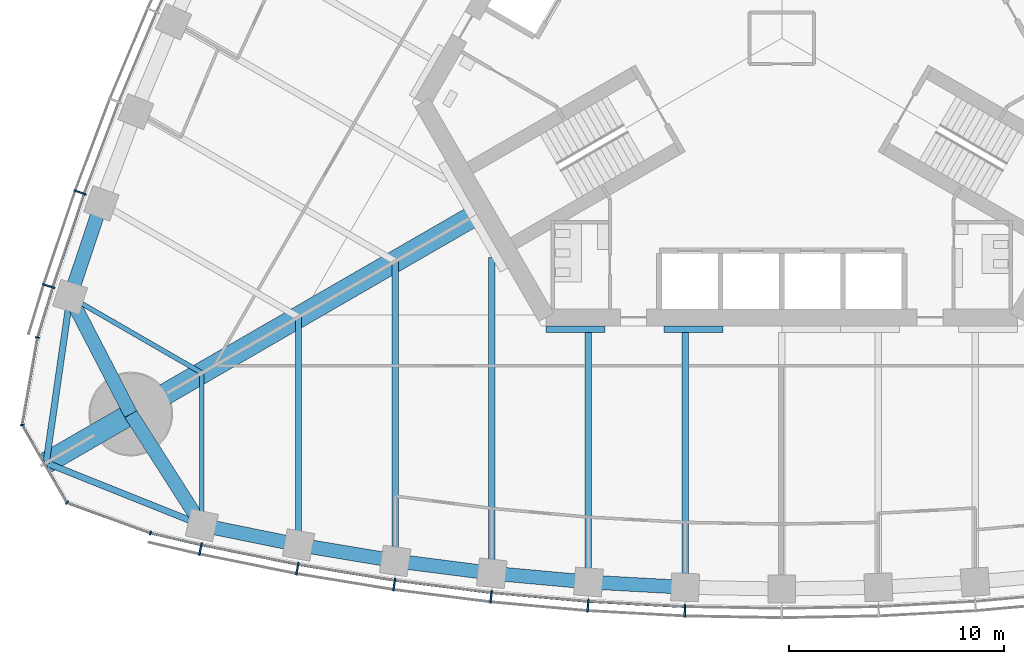
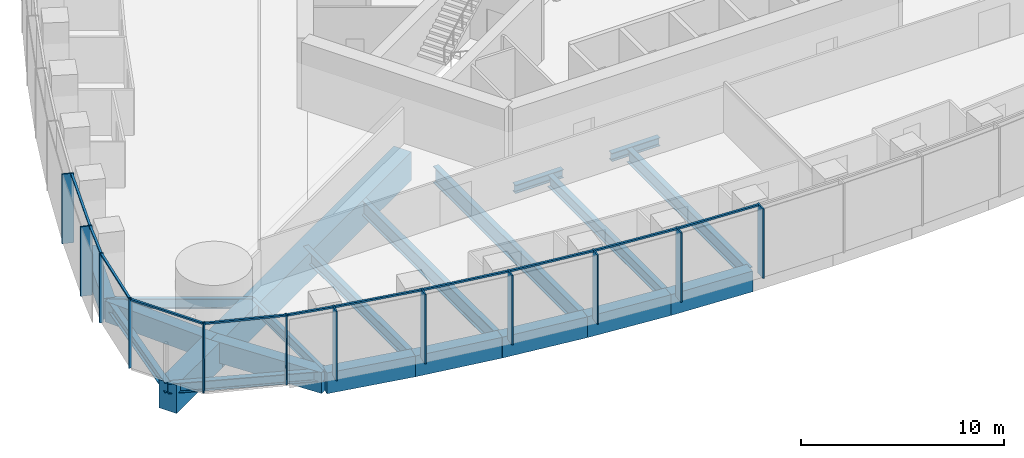
# One storey, part 2 of 19: 23 members, 21 beams, 3 elements without a shape of their own.
"""IFC4 building model written with IfcOpenShell, lengths in metres."""

from ifc_helpers import new_model, si_unit, direction, frame, origin, origin_2d, place, context, subcontext, project, spatial, rectangle, i_section, extrude, material, material_profile, profile_set, type_object, element, aggregate, save


model = new_model("IFC4")

# Units and contexts
model_context = context("Model", 3, precision=1e-05, world=origin(), true_north=direction((0.0, 1.0)))
body_context = subcontext(model_context, "Body", "Model", "MODEL_VIEW")
ifc_project = project(units=[si_unit("LENGTHUNIT", "METRE"), si_unit("AREAUNIT", "SQUARE_METRE"), si_unit("VOLUMEUNIT", "CUBIC_METRE"), si_unit("PLANEANGLEUNIT", "RADIAN"), si_unit("MASSUNIT", "GRAM", prefix="KILO")], contexts=[model_context])

# Site, building, storey
site_placement = place(None, origin())
site = spatial("IfcSite", under=ifc_project, at=site_placement, CompositionType="ELEMENT")
building_placement = place(site_placement, origin())
building = spatial("IfcBuilding", under=site, at=building_placement, Name="Trefoil Bronze Tower", CompositionType="ELEMENT")
storey_placement = place(building_placement, frame((0.0, 0.0, 128.300048828125)))
storey = spatial("IfcBuildingStorey", under=building, at=storey_placement, Name="L29", CompositionType="ELEMENT", Elevation=128.300048828125)

# Curtain wall, members
ifc_material_1 = material(Name="Tinted solar-control glass", Category="glass")
curtain_wall_type_1 = type_object("IfcCurtainWallType", Name="Bronze office curtain wall", PredefinedType="USERDEFINED", material=ifc_material_1)
curtain_wall_1_placement = place(storey_placement, origin())
curtain_wall_1 = element("IfcCurtainWall", 1, at=curtain_wall_1_placement, inside=storey, type_object=curtain_wall_type_1, Name="CW-A L29 F1", ObjectType="CURTAIN WALL", PredefinedType="USERDEFINED")
ifc_material_2 = material(Name="Bronze-finish aluminium", Category="aluminium")
ifc_material_profile_1 = material_profile(ifc_material_2, rectangle(XDim=0.60009765625, YDim=0.080078125, at=origin_2d()), Name="CW-A mullion")
ifc_profile_set_1 = profile_set([ifc_material_profile_1], Name="Bronze-finish aluminium")
member_type_1 = type_object("IfcMemberType", Name="Bronze office curtain wall mullion", PredefinedType="MULLION", material=ifc_profile_set_1)
member_1_placement = place(storey_placement, frame((-27.0634765625, -23.7890625, 0.0), z_axis=(0.0, 0.0, 1.0), x_axis=(0.21197042503, 0.977276081214, 0.0)))
member_1 = element("IfcMember", 2, at=member_1_placement, type_object=member_type_1, Name="CW-A L29 F1 mullion 2", PredefinedType="MULLION", context=body_context, shape_type="SweptSolid", body=[
    extrude(rectangle(XDim=0.60009765625, YDim=0.080078125, at=origin_2d()), origin(), (0.0, 0.0, 1.0), 4.179931640625),
])
member_2_placement = place(storey_placement, frame((-22.553955078125, -24.700927734375, 0.0), z_axis=(0.0, 0.0, 1.0), x_axis=(0.180240853954, 0.98362250613, 0.0)))
member_2 = element("IfcMember", 3, at=member_2_placement, type_object=member_type_1, Name="CW-A L29 F1 mullion 3", PredefinedType="MULLION", context=body_context, shape_type="SweptSolid", body=[
    extrude(rectangle(XDim=0.60009765625, YDim=0.080078125, at=origin_2d()), origin(), (0.0, 0.0, 1.0), 4.179931640625),
])
member_3_placement = place(storey_placement, frame((-18.043212890625, -25.4423828125, 0.0), z_axis=(0.0, 0.0, 1.0), x_axis=(0.144192103798, 0.989549714366, 0.0)))
member_3 = element("IfcMember", 4, at=member_3_placement, type_object=member_type_1, Name="CW-A L29 F1 mullion 4", PredefinedType="MULLION", context=body_context, shape_type="SweptSolid", body=[
    extrude(rectangle(XDim=0.60009765625, YDim=0.080078125, at=origin_2d()), origin(), (0.0, 0.0, 1.0), 4.179931640625),
])
member_4_placement = place(storey_placement, frame((-13.532470703125, -26.01611328125, 0.0), z_axis=(0.0, 0.0, 1.0), x_axis=(0.108143747013, 0.994135267447, 0.0)))
member_4 = element("IfcMember", 5, at=member_4_placement, type_object=member_type_1, Name="CW-A L29 F1 mullion 5", PredefinedType="MULLION", context=body_context, shape_type="SweptSolid", body=[
    extrude(rectangle(XDim=0.60009765625, YDim=0.080078125, at=origin_2d()), origin(), (0.0, 0.0, 1.0), 4.179931640625),
])
member_5_placement = place(storey_placement, frame((-9.021728515625, -26.424072265625, 0.0), z_axis=(0.0, 0.0, 1.0), x_axis=(0.072095676284, 0.997397720802, 0.0)))
member_5 = element("IfcMember", 6, at=member_5_placement, type_object=member_type_1, Name="CW-A L29 F1 mullion 6", PredefinedType="MULLION", context=body_context, shape_type="SweptSolid", body=[
    extrude(rectangle(XDim=0.60009765625, YDim=0.080078125, at=origin_2d()), origin(), (0.0, 0.0, 1.0), 4.179931640625),
])
member_6_placement = place(storey_placement, frame((-4.5107421875, -26.66845703125, 0.0), z_axis=(0.0, 0.0, 1.0), x_axis=(0.036047792107, 0.999350067136, 0.0)))
member_6 = element("IfcMember", 7, at=member_6_placement, type_object=member_type_1, Name="CW-A L29 F1 mullion 7", PredefinedType="MULLION", context=body_context, shape_type="SweptSolid", body=[
    extrude(rectangle(XDim=0.60009765625, YDim=0.080078125, at=origin_2d()), origin(), (0.0, 0.0, 1.0), 4.179931640625),
])

curtain_wall_2_placement = place(storey_placement, origin())
curtain_wall_2 = element("IfcCurtainWall", 8, at=curtain_wall_2_placement, inside=storey, type_object=curtain_wall_type_1, Name="CW-A L29 F3", ObjectType="CURTAIN WALL", PredefinedType="USERDEFINED")
member_7_placement = place(storey_placement, frame((-32.668701171875, -7.181884765625, 0.0), z_axis=(0.0, 0.0, 1.0), x_axis=(0.94196250502, -0.335718094742, 0.0)))
member_7 = element("IfcMember", 9, at=member_7_placement, type_object=member_type_1, Name="CW-A L29 F3 mullion 13", PredefinedType="MULLION", context=body_context, shape_type="SweptSolid", body=[
    extrude(rectangle(XDim=0.60009765625, YDim=0.080078125, at=origin_2d()), origin(), (0.0, 0.0, 1.0), 4.179931640625),
])
member_8_placement = place(storey_placement, frame((-34.1337890625, -11.543212890625, 0.0), z_axis=(0.0, 0.0, 1.0), x_axis=(0.952331125357, -0.30506626768, 0.0)))
member_8 = element("IfcMember", 10, at=member_8_placement, type_object=member_type_1, Name="CW-A L29 F3 mullion 14", PredefinedType="MULLION", context=body_context, shape_type="SweptSolid", body=[
    extrude(rectangle(XDim=0.60009765625, YDim=0.080078125, at=origin_2d()), origin(), (0.0, 0.0, 1.0), 4.179931640625),
])

# Member
ifc_material_3 = material(Name="Bronze-finish aluminium", Category="aluminium")
ifc_material_profile_2 = material_profile(ifc_material_3, rectangle(XDim=0.1201171875, YDim=0.10009765625, at=origin_2d()), Name="CW-A transom")
ifc_profile_set_2 = profile_set([ifc_material_profile_2], Name="Bronze-finish aluminium")
member_type_2 = type_object("IfcMemberType", Name="Bronze office curtain wall transom", PredefinedType="USERDEFINED", material=ifc_profile_set_2)
member_9_placement = place(storey_placement, frame((-29.34130859375, -23.05615234375, 4.1298828125), z_axis=(0.974206243495, -0.225659467196, 0.0), x_axis=(0.225659467196, 0.974206243495, 0.0)))
member_9 = element("IfcMember", 11, at=member_9_placement, type_object=member_type_2, Name="CW-A L29 F1 transom 1", ObjectType="TRANSOM", PredefinedType="USERDEFINED", context=body_context, shape_type="SweptSolid", body=[
    extrude(rectangle(XDim=0.1201171875, YDim=0.10009765625, at=origin_2d()), origin(), (0.0, 0.0, 1.0), 2.340087890625),
])

member_10_placement = place(storey_placement, frame((-26.980712890625, -23.601806640625, 4.1298828125), z_axis=(0.980153749225, -0.198238815273, 0.0), x_axis=(0.198238815273, 0.980153749225, 0.0)))
member_10 = element("IfcMember", 12, at=member_10_placement, type_object=member_type_2, Name="CW-A L29 F1 transom 2", ObjectType="TRANSOM", PredefinedType="USERDEFINED", context=body_context, shape_type="SweptSolid", body=[
    extrude(rectangle(XDim=0.1201171875, YDim=0.10009765625, at=origin_2d()), origin(), (0.0, 0.0, 1.0), 4.51123046875),
])

member_11_placement = place(storey_placement, frame((-22.476806640625, -24.510986328125, 4.1298828125), z_axis=(0.986755265284, -0.162216048636, 0.0), x_axis=(0.162216048636, 0.986755265284, 0.0)))
member_11 = element("IfcMember", 13, at=member_11_placement, type_object=member_type_2, Name="CW-A L29 F1 transom 3", ObjectType="TRANSOM", PredefinedType="USERDEFINED", context=body_context, shape_type="SweptSolid", body=[
    extrude(rectangle(XDim=0.1201171875, YDim=0.10009765625, at=origin_2d()), origin(), (0.0, 0.0, 1.0), 4.48046875),
])

member_12_placement = place(storey_placement, frame((-17.972900390625, -25.249755859375, 4.1298828125), z_axis=(0.992008387848, -0.12617193998, 0.0), x_axis=(0.12617193998, 0.992008387848, 0.0)))
member_12 = element("IfcMember", 14, at=member_12_placement, type_object=member_type_2, Name="CW-A L29 F1 transom 4", ObjectType="TRANSOM", PredefinedType="USERDEFINED", context=body_context, shape_type="SweptSolid", body=[
    extrude(rectangle(XDim=0.1201171875, YDim=0.10009765625, at=origin_2d()), origin(), (0.0, 0.0, 1.0), 4.456298828125),
])

member_13_placement = place(storey_placement, frame((-13.46923828125, -25.821044921875, 4.1298828125), z_axis=(0.995932787062, -0.090099298863, 0.0), x_axis=(0.090099298863, 0.995932787062, 0.0)))
member_13 = element("IfcMember", 15, at=member_13_placement, type_object=member_type_2, Name="CW-A L29 F1 transom 5", ObjectType="TRANSOM", PredefinedType="USERDEFINED", context=body_context, shape_type="SweptSolid", body=[
    extrude(rectangle(XDim=0.1201171875, YDim=0.10009765625, at=origin_2d()), origin(), (0.0, 0.0, 1.0), 4.4384765625),
])

member_14_placement = place(storey_placement, frame((-8.965576171875, -26.22705078125, 4.1298828125), z_axis=(0.998538253569, -0.054049571306, 0.0), x_axis=(0.054049571306, 0.998538253569, 0.0)))
member_14 = element("IfcMember", 16, at=member_14_placement, type_object=member_type_2, Name="CW-A L29 F1 transom 6", ObjectType="TRANSOM", PredefinedType="USERDEFINED", context=body_context, shape_type="SweptSolid", body=[
    extrude(rectangle(XDim=0.1201171875, YDim=0.10009765625, at=origin_2d()), origin(), (0.0, 0.0, 1.0), 4.4267578125),
])

aggregate(curtain_wall_1, [member_1, member_2, member_3, member_4, member_5, member_6, member_9, member_10, member_11, member_12, member_13, member_14])

member_15_placement = place(storey_placement, frame((-32.49365234375, -7.28857421875, 4.1298828125), z_axis=(-0.318386323729, -0.947961048178, 0.0), x_axis=(0.947961048178, -0.318386323729, 0.0)))
member_15 = element("IfcMember", 17, at=member_15_placement, type_object=member_type_2, Name="CW-A L29 F3 transom 13", ObjectType="TRANSOM", PredefinedType="USERDEFINED", context=body_context, shape_type="SweptSolid", body=[
    extrude(rectangle(XDim=0.1201171875, YDim=0.10009765625, at=origin_2d()), origin(), (0.0, 0.0, 1.0), 4.51123046875),
])

member_16_placement = place(storey_placement, frame((-33.955322265625, -11.643798828125, 4.1298828125), z_axis=(-0.291680468798, -0.956515814883, 0.0), x_axis=(0.956515814883, -0.291680468798, 0.0)))
member_16 = element("IfcMember", 18, at=member_16_placement, type_object=member_type_2, Name="CW-A L29 F3 transom 14", ObjectType="TRANSOM", PredefinedType="USERDEFINED", context=body_context, shape_type="SweptSolid", body=[
    extrude(rectangle(XDim=0.1201171875, YDim=0.10009765625, at=origin_2d()), origin(), (0.0, 0.0, 1.0), 2.34033203125),
])

aggregate(curtain_wall_2, [member_7, member_8, member_15, member_16])

# Curtain wall, members
ifc_material_4 = material(Name="Tinted solar-control glass", Category="glass")
curtain_wall_type_2 = type_object("IfcCurtainWallType", Name="Bronze rounded corner curtain wall", PredefinedType="USERDEFINED", material=ifc_material_4)
curtain_wall_3_placement = place(storey_placement, origin())
curtain_wall_3 = element("IfcCurtainWall", 19, at=curtain_wall_3_placement, inside=storey, type_object=curtain_wall_type_2, Name="CW-B L29 K3", ObjectType="CURTAIN WALL", PredefinedType="USERDEFINED")
ifc_material_5 = material(Name="Bronze-finish aluminium", Category="aluminium")
ifc_material_profile_3 = material_profile(ifc_material_5, rectangle(XDim=0.199951171875, YDim=0.06005859375, at=origin_2d()), Name="CW-B mullion")
ifc_profile_set_3 = profile_set([ifc_material_profile_3], Name="Bronze-finish aluminium")
member_type_3 = type_object("IfcMemberType", Name="Bronze rounded corner curtain wall mullion", PredefinedType="MULLION", material=ifc_profile_set_3)
member_17_placement = place(storey_placement, frame((-34.65234375, -13.932373046875, 0.0), z_axis=(0.0, 0.0, 1.0), x_axis=(0.984807753012, -0.173648177667, 0.0)))
member_17 = element("IfcMember", 20, at=member_17_placement, type_object=member_type_3, Name="CW-B L29 K3 mullion 1", PredefinedType="MULLION", context=body_context, shape_type="SweptSolid", body=[
    extrude(rectangle(XDim=0.199951171875, YDim=0.06005859375, at=origin_2d()), origin(), (0.0, 0.0, 1.0), 4.179931640625),
])
member_18_placement = place(storey_placement, frame((-35.364990234375, -18.009033203125, 0.0), z_axis=(0.0, 0.0, 1.0), x_axis=(0.984807753012, 0.173648177667, 0.0)))
member_18 = element("IfcMember", 21, at=member_18_placement, type_object=member_type_3, Name="CW-B L29 K3 mullion 2", PredefinedType="MULLION", context=body_context, shape_type="SweptSolid", body=[
    extrude(rectangle(XDim=0.199951171875, YDim=0.06005859375, at=origin_2d()), origin(), (0.0, 0.0, 1.0), 4.179931640625),
])
member_19_placement = place(storey_placement, frame((-33.27880859375, -21.62255859375, 0.0), z_axis=(0.0, 0.0, 1.0), x_axis=(0.642787609687, 0.766044443119, 0.0)))
member_19 = element("IfcMember", 22, at=member_19_placement, type_object=member_type_3, Name="CW-B L29 K3 mullion 3", PredefinedType="MULLION", context=body_context, shape_type="SweptSolid", body=[
    extrude(rectangle(XDim=0.199951171875, YDim=0.06005859375, at=origin_2d()), origin(), (0.0, 0.0, 1.0), 4.179931640625),
])
member_20_placement = place(storey_placement, frame((-29.391845703125, -23.043701171875, 0.0), z_axis=(0.0, 0.0, 1.0), x_axis=(0.342020143326, 0.939692620786, 0.0)))
member_20 = element("IfcMember", 23, at=member_20_placement, type_object=member_type_3, Name="CW-B L29 K3 mullion 4", PredefinedType="MULLION", context=body_context, shape_type="SweptSolid", body=[
    extrude(rectangle(XDim=0.199951171875, YDim=0.06005859375, at=origin_2d()), origin(), (0.0, 0.0, 1.0), 4.179931640625),
])
ifc_material_6 = material(Name="Bronze-finish aluminium", Category="aluminium")
ifc_material_profile_4 = material_profile(ifc_material_6, rectangle(XDim=0.1201171875, YDim=0.10009765625, at=origin_2d()), Name="CW-B transom")
ifc_profile_set_4 = profile_set([ifc_material_profile_4], Name="Bronze-finish aluminium")
member_type_4 = type_object("IfcMemberType", Name="Bronze rounded corner curtain wall transom", PredefinedType="USERDEFINED", material=ifc_profile_set_4)
member_21_placement = place(storey_placement, frame((-34.657470703125, -13.9619140625, 4.1298828125), z_axis=(-0.173682016639, -0.984801785689, 0.0), x_axis=(0.984801785689, -0.173682016639, 0.0)))
member_21 = element("IfcMember", 24, at=member_21_placement, type_object=member_type_4, Name="CW-B L29 K3 transom 1", ObjectType="TRANSOM", PredefinedType="USERDEFINED", context=body_context, shape_type="SweptSolid", body=[
    extrude(rectangle(XDim=0.1201171875, YDim=0.10009765625, at=origin_2d()), origin(), (0.0, 0.0, 1.0), 4.044189453125),
])
member_22_placement = place(storey_placement, frame((-35.338134765625, -18.067626953125, 4.1298828125), z_axis=(0.500015078168, -0.866016698225, 0.0), x_axis=(0.866016698225, 0.500015078168, 0.0)))
member_22 = element("IfcMember", 25, at=member_22_placement, type_object=member_type_4, Name="CW-B L29 K3 transom 2", ObjectType="TRANSOM", PredefinedType="USERDEFINED", context=body_context, shape_type="SweptSolid", body=[
    extrude(rectangle(XDim=0.1201171875, YDim=0.10009765625, at=origin_2d()), origin(), (0.0, 0.0, 1.0), 4.04443359375),
])
member_23_placement = place(storey_placement, frame((-33.220458984375, -21.650146484375, 4.1298828125), z_axis=(0.939684096629, -0.342043562347, 0.0), x_axis=(0.342043562347, 0.939684096629, 0.0)))
member_23 = element("IfcMember", 26, at=member_23_placement, type_object=member_type_4, Name="CW-B L29 K3 transom 3", ObjectType="TRANSOM", PredefinedType="USERDEFINED", context=body_context, shape_type="SweptSolid", body=[
    extrude(rectangle(XDim=0.1201171875, YDim=0.10009765625, at=origin_2d()), origin(), (0.0, 0.0, 1.0), 4.044189453125),
])
aggregate(curtain_wall_3, [member_17, member_18, member_19, member_20, member_21, member_22, member_23])

# Beams
ifc_material_7 = material(Name="Steel C355", Category="steel")
ifc_material_profile_5 = material_profile(ifc_material_7, i_section(OverallWidth=0.300048828125, OverallDepth=0.5, WebThickness=0.014404296875, FlangeThickness=0.028076171875, FilletRadius=0.027099609375, at=origin_2d()), Name="HEB 500")
ifc_profile_set_5 = profile_set([ifc_material_profile_5], Name="Steel C355")
beam_type_1 = type_object("IfcBeamType", Name="Core seat beam HEB 500", PredefinedType="BEAM", material=ifc_profile_set_5)
for number, where, z_axis, x_axis, name in (
    (27, (-10.9697265625, -13.550048828125, -0.449951171875), (1.0, 0.0, 0.0), (0.0, 1.0, 0.0), "Core seat beam F1/-2 L29"),
    (28, (-5.48486328125, -13.550048828125, -0.449951171875), (1.0, 0.0, 0.0), (0.0, 1.0, 0.0), "Core seat beam F1/-1 L29"),
):
    element("IfcBeam", number, at=place(storey_placement, frame(where, z_axis=z_axis, x_axis=x_axis)), inside=storey, type_object=beam_type_1, Name=name, PredefinedType="BEAM", context=body_context, shape_type="SweptSolid", body=[
        extrude(i_section(OverallWidth=0.300048828125, OverallDepth=0.5, WebThickness=0.014404296875, FlangeThickness=0.028076171875, FilletRadius=0.027099609375, at=origin_2d()), origin(), (0.0, 0.0, 1.0), 2.742431640625),
    ])
ifc_material_8 = material(Name="Concrete B80", Category="concrete")
ifc_material_profile_6 = material_profile(ifc_material_8, rectangle(XDim=1.0, YDim=1.699951171875, at=origin_2d()), Name="RC 1000x1700")
ifc_profile_set_6 = profile_set([ifc_material_profile_6], Name="Concrete B80")
beam_type_2 = type_object("IfcBeamType", Name="Corner cantilever RC 1000x1700", PredefinedType="BEAM", material=ifc_profile_set_6)
beam_1_placement = place(storey_placement, frame((-30.310791015625, -17.5, -1.050048828125), z_axis=(-0.866031878637, -0.499988785058, 0.0), x_axis=(0.499988785058, -0.866031878637, 0.0)))
element("IfcBeam", 29, at=beam_1_placement, inside=storey, type_object=beam_type_2, Name="Corner cantilever K3 L29", PredefinedType="BEAM", context=body_context, shape_type="SweptSolid", body=[
    extrude(rectangle(XDim=1.0, YDim=1.699951171875, at=origin_2d()), origin(), (0.0, 0.0, 1.0), 4.54931640625),
])
ifc_material_9 = material(Name="Steel C355", Category="steel")
ifc_material_profile_7 = material_profile(ifc_material_9, i_section(OverallWidth=0.300048828125, OverallDepth=0.60009765625, WebThickness=0.015380859375, FlangeThickness=0.030029296875, FilletRadius=0.027099609375, at=origin_2d()), Name="HEB 600")
ifc_profile_set_7 = profile_set([ifc_material_profile_7], Name="Steel C355")
beam_type_3 = type_object("IfcBeamType", Name="Corner edge beam HEB 600", PredefinedType="BEAM", material=ifc_profile_set_7)
for number, where, z_axis, x_axis, name in (
    (30, (-27.0, -22.67724609375, -0.5), (-0.928375332495, 0.371643972122, 0.0), (-0.371643972122, -0.928375332495, 0.0), "Corner edge beam F1B L29"),
    (31, (-33.13916015625, -12.044189453125, -0.5), (-0.142327214588, -0.989819662357, 0.0), (0.989819662357, -0.142327214588, 0.0), "Corner edge beam F3A L29"),
):
    element("IfcBeam", number, at=place(storey_placement, frame(where, z_axis=z_axis, x_axis=x_axis)), inside=storey, type_object=beam_type_3, Name=name, PredefinedType="BEAM", context=body_context, shape_type="SweptSolid", body=[
        extrude(i_section(OverallWidth=0.300048828125, OverallDepth=0.60009765625, WebThickness=0.015380859375, FlangeThickness=0.030029296875, FilletRadius=0.027099609375, at=origin_2d()), origin(), (0.0, 0.0, 1.0), 7.81005859375),
    ])
ifc_material_10 = material(Name="Concrete B80", Category="concrete")
ifc_material_profile_8 = material_profile(ifc_material_10, rectangle(XDim=1.0, YDim=1.699951171875, at=origin_2d()), Name="RC 1000x1700")
ifc_profile_set_8 = profile_set([ifc_material_profile_8], Name="Concrete B80")
beam_type_4 = type_object("IfcBeamType", Name="Corner girder RC 1000x1700", PredefinedType="BEAM", material=ifc_profile_set_8)
beam_2_placement = place(storey_placement, frame((-14.202880859375, -8.199951171875, -1.050048828125), z_axis=(-0.866022084834, -0.500005748546, 0.0), x_axis=(0.500005748546, -0.866022084834, 0.0)))
element("IfcBeam", 32, at=beam_2_placement, inside=storey, type_object=beam_type_4, Name="Corner girder K3 L29", PredefinedType="BEAM", context=body_context, shape_type="SweptSolid", body=[
    extrude(rectangle(XDim=1.0, YDim=1.699951171875, at=origin_2d()), origin(), (0.0, 0.0, 1.0), 18.599853515625),
])
ifc_material_11 = material(Name="Concrete B80", Category="concrete")
ifc_material_profile_9 = material_profile(ifc_material_11, rectangle(XDim=0.64990234375, YDim=1.25, at=origin_2d()), Name="RC 650x1250")
ifc_profile_set_9 = profile_set([ifc_material_profile_9], Name="Concrete B80")
beam_type_5 = type_object("IfcBeamType", Name="End spandrel beam RC 650x1250", PredefinedType="SPANDREL", material=ifc_profile_set_9)
for number, where, z_axis, x_axis, name in (
    (33, (-30.310791015625, -17.5, -0.824951171875), (0.53874814953, -0.84246687257, 0.0), (0.84246687257, 0.53874814953, 0.0), "Spandrel F1.1 L29"),
    (34, (-33.13916015625, -12.044189453125, -0.824951171875), (0.460244107083, -0.887792409235, 0.0), (0.887792409235, 0.460244107083, 0.0), "Spandrel F3.14 L29"),
):
    element("IfcBeam", number, at=place(storey_placement, frame(where, z_axis=z_axis, x_axis=x_axis)), inside=storey, type_object=beam_type_5, Name=name, PredefinedType="SPANDREL", context=body_context, shape_type="SweptSolid", body=[
        extrude(rectangle(XDim=0.64990234375, YDim=1.25, at=origin_2d()), origin(), (0.0, 0.0, 1.0), 6.145263671875),
    ])
ifc_material_12 = material(Name="Steel C355", Category="steel")
ifc_material_profile_10 = material_profile(ifc_material_12, i_section(OverallWidth=0.300048828125, OverallDepth=1.0, WebThickness=0.01904296875, FlangeThickness=0.035888671875, FilletRadius=0.030029296875, at=origin_2d()), Name="HEB 1000")
ifc_profile_set_10 = profile_set([ifc_material_profile_10], Name="Steel C355")
beam_type_6 = type_object("IfcBeamType", Name="Floor beam HEB 1000", PredefinedType="BEAM", material=ifc_profile_set_10)
beam_3_placement = place(storey_placement, frame((-13.5, -24.9130859375, -0.699951171875), z_axis=(0.0, 1.0, 0.0), x_axis=(-1.0, 0.0, 0.0)))
element("IfcBeam", 35, at=beam_3_placement, inside=storey, type_object=beam_type_6, Name="Floor beam F1/-3 L29", PredefinedType="BEAM", context=body_context, shape_type="SweptSolid", body=[
    extrude(i_section(OverallWidth=0.300048828125, OverallDepth=1.0, WebThickness=0.01904296875, FlangeThickness=0.035888671875, FilletRadius=0.030029296875, at=origin_2d()), origin(), (0.0, 0.0, 1.0), 14.69580078125),
])
ifc_material_13 = material(Name="Steel C355", Category="steel")
ifc_material_profile_11 = material_profile(ifc_material_13, i_section(OverallWidth=0.300048828125, OverallDepth=0.699951171875, WebThickness=0.01708984375, FlangeThickness=0.031982421875, FilletRadius=0.027099609375, at=origin_2d()), Name="HEB 700")
ifc_profile_set_11 = profile_set([ifc_material_profile_11], Name="Steel C355")
beam_type_7 = type_object("IfcBeamType", Name="Floor beam HEB 700", PredefinedType="BEAM", material=ifc_profile_set_11)
beam_4_placement = place(storey_placement, frame((-22.5, -23.592529296875, -0.550048828125), z_axis=(0.0, 1.0, 0.0), x_axis=(-1.0, 0.0, 0.0)))
element("IfcBeam", 36, at=beam_4_placement, inside=storey, type_object=beam_type_7, Name="Floor beam F1/-5 L29", PredefinedType="BEAM", context=body_context, shape_type="SweptSolid", body=[
    extrude(i_section(OverallWidth=0.300048828125, OverallDepth=0.699951171875, WebThickness=0.01708984375, FlangeThickness=0.031982421875, FilletRadius=0.027099609375, at=origin_2d()), origin(), (0.0, 0.0, 1.0), 10.60205078125),
])
beam_5_placement = place(storey_placement, frame((-9.0, -25.32275390625, -0.550048828125), z_axis=(0.0, 1.0, 0.0), x_axis=(-1.0, 0.0, 0.0)))
element("IfcBeam", 37, at=beam_5_placement, inside=storey, type_object=beam_type_7, Name="Floor beam F1/-2 L29", PredefinedType="BEAM", context=body_context, shape_type="SweptSolid", body=[
    extrude(i_section(OverallWidth=0.300048828125, OverallDepth=0.699951171875, WebThickness=0.01708984375, FlangeThickness=0.031982421875, FilletRadius=0.027099609375, at=origin_2d()), origin(), (0.0, 0.0, 1.0), 11.622802734375),
])
ifc_material_14 = material(Name="Steel C355", Category="steel")
ifc_material_profile_12 = material_profile(ifc_material_14, i_section(OverallWidth=0.300048828125, OverallDepth=0.800048828125, WebThickness=0.017578125, FlangeThickness=0.032958984375, FilletRadius=0.030029296875, at=origin_2d()), Name="HEB 800")
ifc_profile_set_12 = profile_set([ifc_material_profile_12], Name="Steel C355")
beam_type_8 = type_object("IfcBeamType", Name="Floor beam HEB 800", PredefinedType="BEAM", material=ifc_profile_set_12)
beam_6_placement = place(storey_placement, frame((-4.5, -25.568115234375, -0.60009765625), z_axis=(0.0, 1.0, 0.0), x_axis=(-1.0, 0.0, 0.0)))
element("IfcBeam", 38, at=beam_6_placement, inside=storey, type_object=beam_type_8, Name="Floor beam F1/-1 L29", PredefinedType="BEAM", context=body_context, shape_type="SweptSolid", body=[
    extrude(i_section(OverallWidth=0.300048828125, OverallDepth=0.800048828125, WebThickness=0.017578125, FlangeThickness=0.032958984375, FilletRadius=0.030029296875, at=origin_2d()), origin(), (0.0, 0.0, 1.0), 11.8681640625),
])
ifc_material_15 = material(Name="Steel C355", Category="steel")
ifc_material_profile_13 = material_profile(ifc_material_15, i_section(OverallWidth=0.300048828125, OverallDepth=0.89990234375, WebThickness=0.0185546875, FlangeThickness=0.034912109375, FilletRadius=0.030029296875, at=origin_2d()), Name="HEB 900")
ifc_profile_set_13 = profile_set([ifc_material_profile_13], Name="Steel C355")
beam_type_9 = type_object("IfcBeamType", Name="Floor beam HEB 900", PredefinedType="BEAM", material=ifc_profile_set_13)
beam_7_placement = place(storey_placement, frame((-18.0, -24.337158203125, -0.650146484375), z_axis=(0.0, 1.0, 0.0), x_axis=(-1.0, 0.0, 0.0)))
element("IfcBeam", 39, at=beam_7_placement, inside=storey, type_object=beam_type_9, Name="Floor beam F1/-4 L29", PredefinedType="BEAM", context=body_context, shape_type="SweptSolid", body=[
    extrude(i_section(OverallWidth=0.300048828125, OverallDepth=0.89990234375, WebThickness=0.0185546875, FlangeThickness=0.034912109375, FilletRadius=0.030029296875, at=origin_2d()), origin(), (0.0, 0.0, 1.0), 13.94482421875),
])
ifc_material_16 = material(Name="Steel C355", Category="steel")
ifc_material_profile_14 = material_profile(ifc_material_16, i_section(OverallWidth=0.219970703125, OverallDepth=0.60009765625, WebThickness=0.011962890625, FlangeThickness=0.01904296875, FilletRadius=0.02392578125, at=origin_2d()), Name="IPE 600")
ifc_profile_set_14 = profile_set([ifc_material_profile_14], Name="Steel C355")
beam_type_10 = type_object("IfcBeamType", Name="Floor beam IPE 600", PredefinedType="BEAM", material=ifc_profile_set_14)
for number, where, z_axis, x_axis, name in (
    (40, (-27.0, -22.67724609375, -0.5), (0.0, 1.0, 0.0), (-1.0, 0.0, 0.0), "Floor beam F1/-6 L29"),
    (41, (-33.13916015625, -12.044189453125, -0.5), (0.866041060244, -0.499972881236, 0.0), (0.499972881236, 0.866041060244, 0.0), "Floor beam F3/+6 L29"),
):
    element("IfcBeam", number, at=place(storey_placement, frame(where, z_axis=z_axis, x_axis=x_axis)), inside=storey, type_object=beam_type_10, Name=name, PredefinedType="BEAM", context=body_context, shape_type="SweptSolid", body=[
        extrude(i_section(OverallWidth=0.219970703125, OverallDepth=0.60009765625, WebThickness=0.011962890625, FlangeThickness=0.01904296875, FilletRadius=0.02392578125, at=origin_2d()), origin(), (0.0, 0.0, 1.0), 7.0888671875),
    ])
ifc_material_17 = material(Name="Concrete B80", Category="concrete")
ifc_material_profile_15 = material_profile(ifc_material_17, rectangle(XDim=0.64990234375, YDim=1.25, at=origin_2d()), Name="RC 650x1250")
ifc_profile_set_15 = profile_set([ifc_material_profile_15], Name="Concrete B80")
beam_type_11 = type_object("IfcBeamType", Name="Spandrel beam RC 650x1250", PredefinedType="SPANDREL", material=ifc_profile_set_15)
beam_8_placement = place(storey_placement, frame((-27.0, -22.67724609375, -0.824951171875), z_axis=(0.979935430296, -0.199315208777, 0.0), x_axis=(0.199315208777, 0.979935430296, 0.0)))
element("IfcBeam", 42, at=beam_8_placement, inside=storey, type_object=beam_type_11, Name="Spandrel F1.2 L29", PredefinedType="SPANDREL", context=body_context, shape_type="SweptSolid", body=[
    extrude(rectangle(XDim=0.64990234375, YDim=1.25, at=origin_2d()), origin(), (0.0, 0.0, 1.0), 4.592041015625),
])
beam_9_placement = place(storey_placement, frame((-22.5, -23.592529296875, -0.824951171875), z_axis=(0.986584214684, -0.163253138823, 0.0), x_axis=(0.163253138823, 0.986584214684, 0.0)))
element("IfcBeam", 43, at=beam_9_placement, inside=storey, type_object=beam_type_11, Name="Spandrel F1.3 L29", PredefinedType="SPANDREL", context=body_context, shape_type="SweptSolid", body=[
    extrude(rectangle(XDim=0.64990234375, YDim=1.25, at=origin_2d()), origin(), (0.0, 0.0, 1.0), 4.561279296875),
])
beam_10_placement = place(storey_placement, frame((-18.0, -24.337158203125, -0.824951171875), z_axis=(0.991909314257, -0.126948463126, 0.0), x_axis=(0.126948463126, 0.991909314257, 0.0)))
element("IfcBeam", 44, at=beam_10_placement, inside=storey, type_object=beam_type_11, Name="Spandrel F1.4 L29", PredefinedType="SPANDREL", context=body_context, shape_type="SweptSolid", body=[
    extrude(rectangle(XDim=0.64990234375, YDim=1.25, at=origin_2d()), origin(), (0.0, 0.0, 1.0), 4.53662109375),
])
beam_11_placement = place(storey_placement, frame((-13.5, -24.9130859375, -0.824951171875), z_axis=(0.995881683815, -0.090662405894, 0.0), x_axis=(0.090662405894, 0.995881683815, 0.0)))
element("IfcBeam", 45, at=beam_11_placement, inside=storey, type_object=beam_type_11, Name="Spandrel F1.5 L29", PredefinedType="SPANDREL", context=body_context, shape_type="SweptSolid", body=[
    extrude(rectangle(XDim=0.64990234375, YDim=1.25, at=origin_2d()), origin(), (0.0, 0.0, 1.0), 4.5185546875),
])
beam_12_placement = place(storey_placement, frame((-9.0, -25.32275390625, -0.824951171875), z_axis=(0.998516832602, -0.054443870267, 0.0), x_axis=(0.054443870267, 0.998516832602, 0.0)))
element("IfcBeam", 46, at=beam_12_placement, inside=storey, type_object=beam_type_11, Name="Spandrel F1.6 L29", PredefinedType="SPANDREL", context=body_context, shape_type="SweptSolid", body=[
    extrude(rectangle(XDim=0.64990234375, YDim=1.25, at=origin_2d()), origin(), (0.0, 0.0, 1.0), 4.506591796875),
])
beam_13_placement = place(storey_placement, frame((-31.681884765625, -7.689208984375, -0.824951171875), z_axis=(-0.31732802068, -0.948315837309, 0.0), x_axis=(0.948315837309, -0.31732802068, 0.0)))
element("IfcBeam", 47, at=beam_13_placement, inside=storey, type_object=beam_type_11, Name="Spandrel F3.13 L29", PredefinedType="SPANDREL", context=body_context, shape_type="SweptSolid", body=[
    extrude(rectangle(XDim=0.64990234375, YDim=1.25, at=origin_2d()), origin(), (0.0, 0.0, 1.0), 4.59228515625),
])

save(model, "model.ifc")
